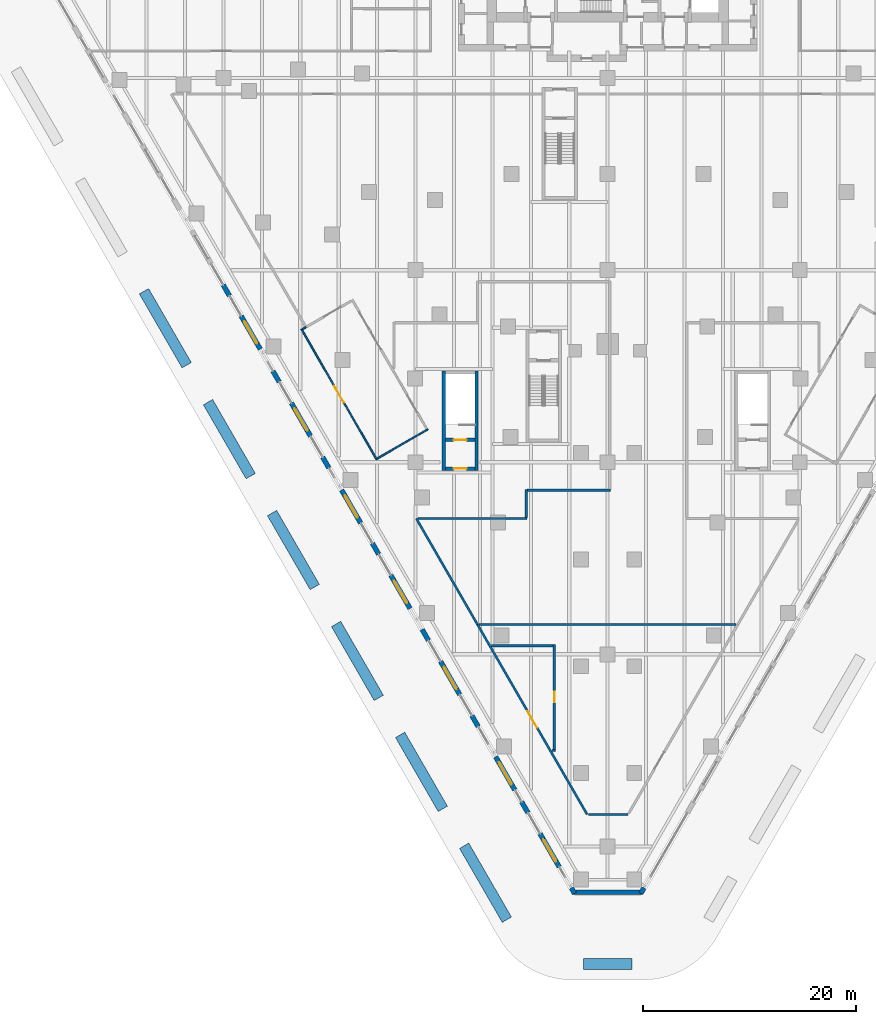
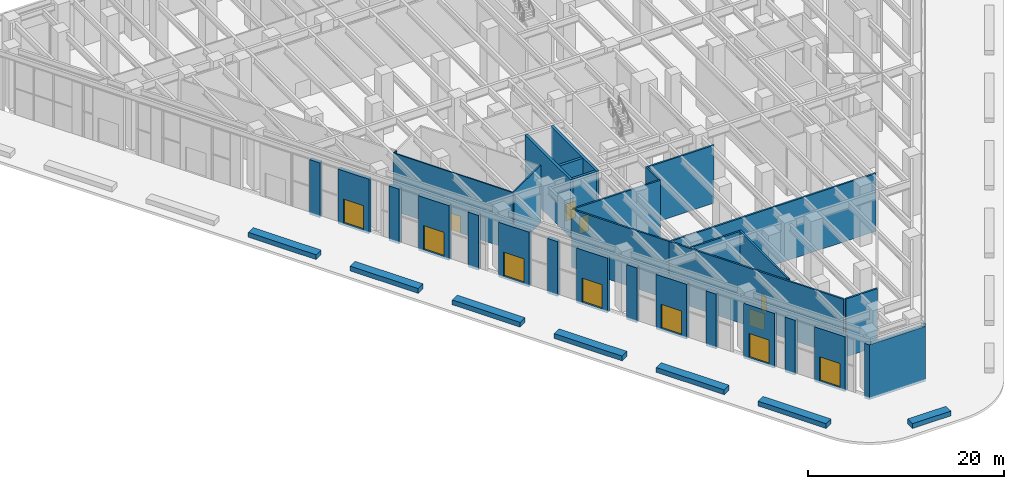
# One storey, part 25 of 37: 41 walls, 12 doors, 12 openings.
"""IFC4 building model written with IfcOpenShell, lengths in metres."""

from ifc_helpers import new_model, si_unit, direction, frame, frame_2d, origin, place, context, subcontext, project, spatial, polyline, rectangle, outline, extrude, material, layer, layer_set, type_object, element, fill, save


model = new_model("IFC4")

# Units and contexts
model_context = context("Model", 3, precision=1e-05, world=origin(), true_north=direction((0.0, 1.0)))
body_context = subcontext(model_context, "Body", "Model", "MODEL_VIEW")
ifc_project = project(units=[si_unit("LENGTHUNIT", "METRE"), si_unit("AREAUNIT", "SQUARE_METRE"), si_unit("VOLUMEUNIT", "CUBIC_METRE"), si_unit("PLANEANGLEUNIT", "RADIAN"), si_unit("MASSUNIT", "GRAM", prefix="KILO")], contexts=[model_context])

# Site, building, storey
site_placement = place(None, origin())
site = spatial("IfcSite", under=ifc_project, at=site_placement, CompositionType="ELEMENT")
building_placement = place(site_placement, origin())
building = spatial("IfcBuilding", under=site, at=building_placement, Name="Aloe Facet Convention Tower", CompositionType="ELEMENT")
storey_placement = place(building_placement, origin())
storey = spatial("IfcBuildingStorey", under=building, at=storey_placement, Name="L00", CompositionType="ELEMENT", Elevation=0.0)

# Walls
ifc_material_1 = material(Name="Concrete C50/60", Category="concrete")
ifc_layer_1 = layer(ifc_material_1, 0.300048828125)
ifc_layer_set_1 = layer_set([ifc_layer_1], Name="CR-W-RC300-C5060")
wall_type_1 = type_object("IfcWallType", Name="CR-W-RC300-C5060", PredefinedType="SOLIDWALL", material=ifc_layer_set_1)
for number, where, z_axis, x_axis, name in (
    (1, (64.64990234375, 80.25, 0.0), (0.0, 0.0, 1.0), (0.0, 1.0, 0.0), "Exit stair wall L00-16"),
    (2, (67.699951171875, 80.25, 0.0), (0.0, 0.0, 1.0), (0.0, 1.0, 0.0), "Exit stair wall L00-17"),
):
    element("IfcWall", number, at=place(storey_placement, frame(where, z_axis=z_axis, x_axis=x_axis)), inside=storey, type_object=wall_type_1, Name=name, PredefinedType="SOLIDWALL", context=body_context, shape_type="SweptSolid", body=[
        extrude(rectangle(XDim=9.300048828125, YDim=0.300048828125, at=frame_2d((4.64990234375, 0.0))), origin(), (0.0, 0.0, 1.0), 7.199951171875),
    ])

# Wall, opening, door
wall_1_placement = place(storey_placement, frame((64.800048828125, 80.39990234375, 0.0), z_axis=(0.0, 0.0, 1.0), x_axis=(1.0, 0.0, 0.0)))
wall_1 = element("IfcWall", 3, at=wall_1_placement, inside=storey, type_object=wall_type_1, Name="Exit stair wall L00-18", PredefinedType="SOLIDWALL", context=body_context, shape_type="SweptSolid", body=[
    extrude(rectangle(XDim=2.75, YDim=0.300048828125, at=frame_2d((1.375, 0.0))), origin(), (0.0, 0.0, 1.0), 7.199951171875),
])
opening_1_placement = place(wall_1_placement, frame((0.77490234375, 0.0, 0.0)))
opening_1 = element("IfcOpeningElement", 4, at=opening_1_placement, cuts=wall_1, Name="Opening L00-ST7-02", PredefinedType="OPENING", context=body_context, shape_type="SweptSolid", body=[
    extrude(rectangle(XDim=1.199951171875, YDim=2.10009765625, at=frame_2d((0.60009765625, 1.050048828125))), frame((0.0, 0.16015625, 0.0), z_axis=(0.0, -1.0, 0.0), x_axis=(1.0, 0.0, 0.0)), (0.0, 0.0, 1.0), 0.320068359375),
])
ifc_material_2 = material(Name="Steel fire-resisting door set FD60", Category="steel")
door_type_1 = type_object("IfcDoorType", Name="CR-D-EXIT-1200-FD60-SRIGHT", OperationType="SINGLE_SWING_RIGHT", PredefinedType="DOOR", material=ifc_material_2)
door_1_placement = place(opening_1_placement, origin())
door_1 = element("IfcDoor", 5, at=door_1_placement, inside=storey, type_object=door_type_1, Name="Stair lobby door L00-ST7-02", OperationType="SINGLE_SWING_RIGHT", OverallHeight=2.10009765625, OverallWidth=1.199951171875, PredefinedType="DOOR", context=body_context, shape_type="SweptSolid", body=[
    extrude(rectangle(XDim=1.199951171875, YDim=2.10009765625, at=frame_2d((0.60009765625, 1.050048828125))), frame((0.0, 0.02490234375, 0.0), z_axis=(0.0, -1.0, 0.0), x_axis=(1.0, 0.0, 0.0)), (0.0, 0.0, 1.0), 0.050048828125),
])
fill(opening_1, door_1)

wall_2_placement = place(storey_placement, frame((64.800048828125, 83.10009765625, 0.0), z_axis=(0.0, 0.0, 1.0), x_axis=(1.0, 0.0, 0.0)))
wall_2 = element("IfcWall", 6, at=wall_2_placement, inside=storey, type_object=wall_type_1, Name="Exit stair wall L00-19", PredefinedType="SOLIDWALL", context=body_context, shape_type="SweptSolid", body=[
    extrude(rectangle(XDim=2.75, YDim=0.300048828125, at=frame_2d((1.375, 0.0))), origin(), (0.0, 0.0, 1.0), 7.199951171875),
])
opening_2_placement = place(wall_2_placement, frame((0.77490234375, 0.0, 0.0)))
opening_2 = element("IfcOpeningElement", 7, at=opening_2_placement, cuts=wall_2, Name="Opening L00-ST7-01", PredefinedType="OPENING", context=body_context, shape_type="SweptSolid", body=[
    extrude(rectangle(XDim=1.199951171875, YDim=2.10009765625, at=frame_2d((0.60009765625, 1.050048828125))), frame((0.0, 0.16015625, 0.0), z_axis=(0.0, -1.0, 0.0), x_axis=(1.0, 0.0, 0.0)), (0.0, 0.0, 1.0), 0.320068359375),
])
ifc_material_3 = material(Name="Steel fire-resisting door set FD120", Category="steel")
door_type_2 = type_object("IfcDoorType", Name="CR-D-STAIR-1200-FD120-SLEFT", OperationType="SINGLE_SWING_LEFT", PredefinedType="DOOR", material=ifc_material_3)
door_2_placement = place(opening_2_placement, origin())
door_2 = element("IfcDoor", 8, at=door_2_placement, inside=storey, type_object=door_type_2, Name="Stair door L00-ST7-01", OperationType="SINGLE_SWING_LEFT", OverallHeight=2.10009765625, OverallWidth=1.199951171875, PredefinedType="DOOR", context=body_context, shape_type="SweptSolid", body=[
    extrude(rectangle(XDim=1.199951171875, YDim=2.10009765625, at=frame_2d((0.60009765625, 1.050048828125))), frame((0.0, 0.02490234375, 0.0), z_axis=(0.0, -1.0, 0.0), x_axis=(1.0, 0.0, 0.0)), (0.0, 0.0, 1.0), 0.050048828125),
])
fill(opening_2, door_2)

# Walls
ifc_material_4 = material(Name="Precast concrete C40/50", Category="concrete")
ifc_layer_2 = layer(ifc_material_4, 1.0)
ifc_layer_set_2 = layer_set([ifc_layer_2], Name="EV-PLANTER-BED")
wall_type_2 = type_object("IfcWallType", Name="EV-PLANTER-BED", PredefinedType="STANDARD", material=ifc_layer_set_2)
wall_3_placement = place(storey_placement, frame((82.264404296875, 33.986328125, 0.0), z_axis=(0.0, 0.0, 1.0), x_axis=(-1.0, 0.0, 0.0)))
element("IfcWall", 9, at=wall_3_placement, inside=storey, type_object=wall_type_2, Name="PLANTER G-10", PredefinedType="STANDARD", context=body_context, shape_type="SweptSolid", body=[
    extrude(rectangle(XDim=4.52880859375, YDim=1.0, at=frame_2d((2.264404296875, 0.0))), origin(), (0.0, 0.0, 1.0), 0.60009765625),
])
for number, where, z_axis, x_axis, name in (
    (10, (70.552978515625, 38.13330078125, 0.0), (0.0, 0.0, 1.0), (-0.49999894854, 0.866026010844, 0.0), "PLANTER G-11"),
    (11, (64.552978515625, 48.525634765625, 0.0), (0.0, 0.0, 1.0), (-0.49999894854, 0.866026010844, 0.0), "PLANTER G-12"),
):
    element("IfcWall", number, at=place(storey_placement, frame(where, z_axis=z_axis, x_axis=x_axis)), inside=storey, type_object=wall_type_2, Name=name, PredefinedType="STANDARD", context=body_context, shape_type="SweptSolid", body=[
        extrude(rectangle(XDim=8.0, YDim=1.0, at=frame_2d((4.0, 0.0))), origin(), (0.0, 0.0, 1.0), 0.60009765625),
    ])
wall_4_placement = place(storey_placement, frame((58.552978515625, 58.91796875, 0.0), z_axis=(0.0, 0.0, 1.0), x_axis=(-0.500012163284, 0.866018381195, 0.0)))
element("IfcWall", 12, at=wall_4_placement, inside=storey, type_object=wall_type_2, Name="PLANTER G-13", PredefinedType="STANDARD", context=body_context, shape_type="SweptSolid", body=[
    extrude(rectangle(XDim=7.999755859375, YDim=1.0, at=frame_2d((4.0, 0.0))), origin(), (0.0, 0.0, 1.0), 0.60009765625),
])
for number, where, z_axis, x_axis, name in (
    (13, (52.552978515625, 69.31005859375, 0.0), (0.0, 0.0, 1.0), (-0.49999894854, 0.866026010844, 0.0), "PLANTER G-14"),
    (14, (46.552978515625, 79.702392578125, 0.0), (0.0, 0.0, 1.0), (-0.49999894854, 0.866026010844, 0.0), "PLANTER G-15"),
    (15, (40.552978515625, 90.0947265625, 0.0), (0.0, 0.0, 1.0), (-0.49999894854, 0.866026010844, 0.0), "PLANTER G-16"),
):
    element("IfcWall", number, at=place(storey_placement, frame(where, z_axis=z_axis, x_axis=x_axis)), inside=storey, type_object=wall_type_2, Name=name, PredefinedType="STANDARD", context=body_context, shape_type="SweptSolid", body=[
        extrude(rectangle(XDim=8.0, YDim=1.0, at=frame_2d((4.0, 0.0))), origin(), (0.0, 0.0, 1.0), 0.60009765625),
    ])
ifc_material_5 = material(Name="Precast concrete C40/50", Category="concrete")
ifc_layer_3 = layer(ifc_material_5, 0.449951171875)
ifc_layer_set_3 = layer_set([ifc_layer_3], Name="EV-WALL-PIER")
wall_type_3 = type_object("IfcWallType", Name="EV-WALL-PIER", PredefinedType="SOLIDWALL", material=ifc_layer_set_3)
wall_5_placement = place(storey_placement, frame((0.0, 0.0, -0.300048828125)))
element("IfcWall", 16, at=wall_5_placement, inside=storey, type_object=wall_type_3, Name="EP-L00-B", PredefinedType="SOLIDWALL", context=body_context, shape_type="SweptSolid", body=[
    extrude(outline(polyline([(76.699951171875, 40.486328125), (77.089599609375, 40.711181640625), (76.959716796875, 40.936279296875), (83.040283203125, 40.936279296875), (82.910400390625, 40.711181640625), (83.300048828125, 40.486328125), (76.699951171875, 40.486328125)])), origin(), (0.0, 0.0, 1.0), 6.8125),
])
ifc_material_6 = material(Name="Precast concrete C40/50", Category="concrete")
ifc_layer_4 = layer(ifc_material_6, 0.449951171875)
ifc_layer_set_4 = layer_set([ifc_layer_4], Name="EV-WALL-STONE")
wall_type_4 = type_object("IfcWallType", Name="EV-WALL-STONE", PredefinedType="SOLIDWALL", material=ifc_layer_set_4)
wall_6_placement = place(storey_placement, frame((43.969970703125, 97.626220703125, -0.300048828125), z_axis=(0.0, 0.0, 1.0), x_axis=(0.500033551112, -0.866006032174, 0.0)))
element("IfcWall", 17, at=wall_6_placement, inside=storey, type_object=wall_type_4, Name="PW-L00-W09", PredefinedType="SOLIDWALL", context=body_context, shape_type="SweptSolid", body=[
    extrude(rectangle(XDim=1.2001953125, YDim=0.449951171875, at=frame_2d((0.60009765625, 0.0))), origin(), (0.0, 0.0, 1.0), 6.8125),
])

# Wall, opening, door
wall_7_placement = place(storey_placement, frame((45.650390625, 94.7158203125, -0.300048828125), z_axis=(0.0, 0.0, 1.0), x_axis=(0.500012057535, -0.866018442252, 0.0)))
wall_7 = element("IfcWall", 18, at=wall_7_placement, inside=storey, type_object=wall_type_4, Name="PW-L00-W10", PredefinedType="SOLIDWALL", context=body_context, shape_type="SweptSolid", body=[
    extrude(rectangle(XDim=3.60009765625, YDim=0.449951171875, at=frame_2d((1.800048828125, 0.0))), origin(), (0.0, 0.0, 1.0), 6.8125),
])
opening_3_placement = place(wall_7_placement, frame((0.60009765625, 0.0, 0.300048828125)))
opening_3 = element("IfcOpeningElement", 19, at=opening_3_placement, cuts=wall_7, Name="Opening D-L00-W10", PredefinedType="OPENING", context=body_context, shape_type="SweptSolid", body=[
    extrude(rectangle(XDim=2.39990234375, YDim=3.0, at=frame_2d((1.199951171875, 1.5))), frame((0.0, 0.23486328125, 0.0), z_axis=(0.0, -1.0, 0.0), x_axis=(1.0, 0.0, 0.0)), (0.0, 0.0, 1.0), 0.469970703125),
])
ifc_material_7 = material(Name="Aluminium frame, clear double glazing", Category="aluminium")
door_type_3 = type_object("IfcDoorType", Name="EV-DOOR-ENTRY", OperationType="DOUBLE_DOOR_SINGLE_SWING", PredefinedType="DOOR", material=ifc_material_7)
door_3_placement = place(opening_3_placement, origin())
door_3 = element("IfcDoor", 20, at=door_3_placement, inside=storey, type_object=door_type_3, Name="D-L00-W10", OperationType="DOUBLE_DOOR_SINGLE_SWING", OverallHeight=3.0, OverallWidth=2.39990234375, PredefinedType="DOOR", context=body_context, shape_type="SweptSolid", body=[
    extrude(rectangle(XDim=2.39990234375, YDim=3.0, at=frame_2d((1.199951171875, 1.5))), frame((0.0, 0.02490234375, 0.0), z_axis=(0.0, -1.0, 0.0), x_axis=(1.0, 0.0, 0.0)), (0.0, 0.0, 1.0), 0.050048828125),
])
fill(opening_3, door_3)

# Wall
wall_8_placement = place(storey_placement, frame((48.630859375, 89.5537109375, -0.300048828125), z_axis=(0.0, 0.0, 1.0), x_axis=(0.499880961361, -0.866094119867, 0.0)))
element("IfcWall", 21, at=wall_8_placement, inside=storey, type_object=wall_type_4, Name="PW-L00-W11", PredefinedType="SOLIDWALL", context=body_context, shape_type="SweptSolid", body=[
    extrude(rectangle(XDim=1.199951171875, YDim=0.449951171875, at=frame_2d((0.60009765625, 0.0))), origin(), (0.0, 0.0, 1.0), 6.8125),
])

# Wall, opening, door
wall_9_placement = place(storey_placement, frame((50.361083984375, 86.556640625, -0.300048828125), z_axis=(0.0, 0.0, 1.0), x_axis=(0.500012057535, -0.866018442252, 0.0)))
wall_9 = element("IfcWall", 22, at=wall_9_placement, inside=storey, type_object=wall_type_4, Name="PW-L00-W12", PredefinedType="SOLIDWALL", context=body_context, shape_type="SweptSolid", body=[
    extrude(rectangle(XDim=3.60009765625, YDim=0.449951171875, at=frame_2d((1.800048828125, 0.0))), origin(), (0.0, 0.0, 1.0), 6.8125),
])
opening_4_placement = place(wall_9_placement, frame((0.60009765625, 0.0, 0.300048828125)))
opening_4 = element("IfcOpeningElement", 23, at=opening_4_placement, cuts=wall_9, Name="Opening D-L00-W12", PredefinedType="OPENING", context=body_context, shape_type="SweptSolid", body=[
    extrude(rectangle(XDim=2.39990234375, YDim=3.0, at=frame_2d((1.199951171875, 1.5))), frame((0.0, 0.23486328125, 0.0), z_axis=(0.0, -1.0, 0.0), x_axis=(1.0, 0.0, 0.0)), (0.0, 0.0, 1.0), 0.469970703125),
])
door_4_placement = place(opening_4_placement, origin())
door_4 = element("IfcDoor", 24, at=door_4_placement, inside=storey, type_object=door_type_3, Name="D-L00-W12", OperationType="DOUBLE_DOOR_SINGLE_SWING", OverallHeight=3.0, OverallWidth=2.39990234375, PredefinedType="DOOR", context=body_context, shape_type="SweptSolid", body=[
    extrude(rectangle(XDim=2.39990234375, YDim=3.0, at=frame_2d((1.199951171875, 1.5))), frame((0.0, 0.02490234375, 0.0), z_axis=(0.0, -1.0, 0.0), x_axis=(1.0, 0.0, 0.0)), (0.0, 0.0, 1.0), 0.050048828125),
])
fill(opening_4, door_4)

# Wall
wall_10_placement = place(storey_placement, frame((53.29150390625, 81.481201171875, -0.300048828125), z_axis=(0.0, 0.0, 1.0), x_axis=(0.499880961361, -0.866094119867, 0.0)))
element("IfcWall", 25, at=wall_10_placement, inside=storey, type_object=wall_type_4, Name="PW-L00-W13", PredefinedType="SOLIDWALL", context=body_context, shape_type="SweptSolid", body=[
    extrude(rectangle(XDim=1.199951171875, YDim=0.449951171875, at=frame_2d((0.60009765625, 0.0))), origin(), (0.0, 0.0, 1.0), 6.8125),
])

# Wall, opening, door
wall_11_placement = place(storey_placement, frame((55.07177734375, 78.3974609375, -0.300048828125), z_axis=(0.0, 0.0, 1.0), x_axis=(0.500012057535, -0.866018442252, 0.0)))
wall_11 = element("IfcWall", 26, at=wall_11_placement, inside=storey, type_object=wall_type_4, Name="PW-L00-W14", PredefinedType="SOLIDWALL", context=body_context, shape_type="SweptSolid", body=[
    extrude(rectangle(XDim=3.60009765625, YDim=0.449951171875, at=frame_2d((1.800048828125, 0.0))), origin(), (0.0, 0.0, 1.0), 6.8125),
])
opening_5_placement = place(wall_11_placement, frame((0.60009765625, 0.0, 0.300048828125)))
opening_5 = element("IfcOpeningElement", 27, at=opening_5_placement, cuts=wall_11, Name="Opening D-L00-W14", PredefinedType="OPENING", context=body_context, shape_type="SweptSolid", body=[
    extrude(rectangle(XDim=2.39990234375, YDim=3.0, at=frame_2d((1.199951171875, 1.5))), frame((0.0, 0.23486328125, 0.0), z_axis=(0.0, -1.0, 0.0), x_axis=(1.0, 0.0, 0.0)), (0.0, 0.0, 1.0), 0.469970703125),
])
door_5_placement = place(opening_5_placement, origin())
door_5 = element("IfcDoor", 28, at=door_5_placement, inside=storey, type_object=door_type_3, Name="D-L00-W14", OperationType="DOUBLE_DOOR_SINGLE_SWING", OverallHeight=3.0, OverallWidth=2.39990234375, PredefinedType="DOOR", context=body_context, shape_type="SweptSolid", body=[
    extrude(rectangle(XDim=2.39990234375, YDim=3.0, at=frame_2d((1.199951171875, 1.5))), frame((0.0, 0.02490234375, 0.0), z_axis=(0.0, -1.0, 0.0), x_axis=(1.0, 0.0, 0.0)), (0.0, 0.0, 1.0), 0.050048828125),
])
fill(opening_5, door_5)

# Wall
wall_12_placement = place(storey_placement, frame((57.9521484375, 73.408447265625, -0.300048828125), z_axis=(0.0, 0.0, 1.0), x_axis=(0.499969057507, -0.866043267704, 0.0)))
element("IfcWall", 29, at=wall_12_placement, inside=storey, type_object=wall_type_4, Name="PW-L00-W15", PredefinedType="SOLIDWALL", context=body_context, shape_type="SweptSolid", body=[
    extrude(rectangle(XDim=1.19970703125, YDim=0.449951171875, at=frame_2d((0.599853515625, 0.0))), origin(), (0.0, 0.0, 1.0), 6.8125),
])

# Wall, opening, door
wall_13_placement = place(storey_placement, frame((59.682373046875, 70.41162109375, -0.300048828125), z_axis=(0.0, 0.0, 1.0), x_axis=(0.500012057535, -0.866018442252, 0.0)))
wall_13 = element("IfcWall", 30, at=wall_13_placement, inside=storey, type_object=wall_type_4, Name="PW-L00-W16", PredefinedType="SOLIDWALL", context=body_context, shape_type="SweptSolid", body=[
    extrude(rectangle(XDim=3.60009765625, YDim=0.449951171875, at=frame_2d((1.800048828125, 0.0))), origin(), (0.0, 0.0, 1.0), 6.8125),
])
opening_6_placement = place(wall_13_placement, frame((0.60009765625, 0.0, 0.300048828125)))
opening_6 = element("IfcOpeningElement", 31, at=opening_6_placement, cuts=wall_13, Name="Opening D-L00-W16", PredefinedType="OPENING", context=body_context, shape_type="SweptSolid", body=[
    extrude(rectangle(XDim=2.39990234375, YDim=3.0, at=frame_2d((1.199951171875, 1.5))), frame((0.0, 0.23486328125, 0.0), z_axis=(0.0, -1.0, 0.0), x_axis=(1.0, 0.0, 0.0)), (0.0, 0.0, 1.0), 0.469970703125),
])
door_6_placement = place(opening_6_placement, origin())
door_6 = element("IfcDoor", 32, at=door_6_placement, inside=storey, type_object=door_type_3, Name="D-L00-W16", OperationType="DOUBLE_DOOR_SINGLE_SWING", OverallHeight=3.0, OverallWidth=2.39990234375, PredefinedType="DOOR", context=body_context, shape_type="SweptSolid", body=[
    extrude(rectangle(XDim=2.39990234375, YDim=3.0, at=frame_2d((1.199951171875, 1.5))), frame((0.0, 0.02490234375, 0.0), z_axis=(0.0, -1.0, 0.0), x_axis=(1.0, 0.0, 0.0)), (0.0, 0.0, 1.0), 0.050048828125),
])
fill(opening_6, door_6)

# Wall
wall_14_placement = place(storey_placement, frame((62.61279296875, 65.3359375, -0.300048828125), z_axis=(0.0, 0.0, 1.0), x_axis=(0.50012165622, -0.865955154139, 0.0)))
element("IfcWall", 33, at=wall_14_placement, inside=storey, type_object=wall_type_4, Name="PW-L00-W17", PredefinedType="SOLIDWALL", context=body_context, shape_type="SweptSolid", body=[
    extrude(rectangle(XDim=1.199951171875, YDim=0.449951171875, at=frame_2d((0.60009765625, 0.0))), origin(), (0.0, 0.0, 1.0), 6.8125),
])

# Wall, opening, door
wall_15_placement = place(storey_placement, frame((64.34326171875, 62.339111328125, -0.300048828125), z_axis=(0.0, 0.0, 1.0), x_axis=(0.499931829785, -0.866064758299, 0.0)))
wall_15 = element("IfcWall", 34, at=wall_15_placement, inside=storey, type_object=wall_type_4, Name="PW-L00-W18", PredefinedType="SOLIDWALL", context=body_context, shape_type="SweptSolid", body=[
    extrude(rectangle(XDim=3.60009765625, YDim=0.449951171875, at=frame_2d((1.800048828125, 0.0))), origin(), (0.0, 0.0, 1.0), 6.8125),
])
opening_7_placement = place(wall_15_placement, frame((0.60009765625, 0.0, 0.300048828125)))
opening_7 = element("IfcOpeningElement", 35, at=opening_7_placement, cuts=wall_15, Name="Opening D-L00-W18", PredefinedType="OPENING", context=body_context, shape_type="SweptSolid", body=[
    extrude(rectangle(XDim=2.39990234375, YDim=3.0, at=frame_2d((1.199951171875, 1.5))), frame((0.0, 0.23486328125, 0.0), z_axis=(0.0, -1.0, 0.0), x_axis=(1.0, 0.0, 0.0)), (0.0, 0.0, 1.0), 0.469970703125),
])
door_7_placement = place(opening_7_placement, origin())
door_7 = element("IfcDoor", 36, at=door_7_placement, inside=storey, type_object=door_type_3, Name="D-L00-W18", OperationType="DOUBLE_DOOR_SINGLE_SWING", OverallHeight=3.0, OverallWidth=2.39990234375, PredefinedType="DOOR", context=body_context, shape_type="SweptSolid", body=[
    extrude(rectangle(XDim=2.39990234375, YDim=3.0, at=frame_2d((1.199951171875, 1.5))), frame((0.0, 0.02490234375, 0.0), z_axis=(0.0, -1.0, 0.0), x_axis=(1.0, 0.0, 0.0)), (0.0, 0.0, 1.0), 0.050048828125),
])
fill(opening_7, door_7)

# Wall
wall_16_placement = place(storey_placement, frame((67.2734375, 57.263427734375, -0.300048828125), z_axis=(0.0, 0.0, 1.0), x_axis=(0.50012165622, -0.865955154139, 0.0)))
element("IfcWall", 37, at=wall_16_placement, inside=storey, type_object=wall_type_4, Name="PW-L00-W19", PredefinedType="SOLIDWALL", context=body_context, shape_type="SweptSolid", body=[
    extrude(rectangle(XDim=1.199951171875, YDim=0.449951171875, at=frame_2d((0.60009765625, 0.0))), origin(), (0.0, 0.0, 1.0), 6.8125),
])

# Wall, opening, door
wall_17_placement = place(storey_placement, frame((69.50390625, 53.400390625, -0.300048828125), z_axis=(0.0, 0.0, 1.0), x_axis=(0.499961193289, -0.866047807691, 0.0)))
wall_17 = element("IfcWall", 38, at=wall_17_placement, inside=storey, type_object=wall_type_4, Name="PW-L00-W20", PredefinedType="SOLIDWALL", context=body_context, shape_type="SweptSolid", body=[
    extrude(rectangle(XDim=3.599853515625, YDim=0.449951171875, at=frame_2d((1.7998046875, 0.0))), origin(), (0.0, 0.0, 1.0), 6.8125),
])
opening_8_placement = place(wall_17_placement, frame((0.60009765625, 0.0, 0.300048828125)))
opening_8 = element("IfcOpeningElement", 39, at=opening_8_placement, cuts=wall_17, Name="Opening D-L00-W20", PredefinedType="OPENING", context=body_context, shape_type="SweptSolid", body=[
    extrude(rectangle(XDim=2.39990234375, YDim=3.0, at=frame_2d((1.199951171875, 1.5))), frame((0.0, 0.23486328125, 0.0), z_axis=(0.0, -1.0, 0.0), x_axis=(1.0, 0.0, 0.0)), (0.0, 0.0, 1.0), 0.469970703125),
])
door_8_placement = place(opening_8_placement, origin())
door_8 = element("IfcDoor", 40, at=door_8_placement, inside=storey, type_object=door_type_3, Name="D-L00-W20", OperationType="DOUBLE_DOOR_SINGLE_SWING", OverallHeight=3.0, OverallWidth=2.39990234375, PredefinedType="DOOR", context=body_context, shape_type="SweptSolid", body=[
    extrude(rectangle(XDim=2.39990234375, YDim=3.0, at=frame_2d((1.199951171875, 1.5))), frame((0.0, 0.02490234375, 0.0), z_axis=(0.0, -1.0, 0.0), x_axis=(1.0, 0.0, 0.0)), (0.0, 0.0, 1.0), 0.050048828125),
])
fill(opening_8, door_8)

# Wall
wall_18_placement = place(storey_placement, frame((71.93408203125, 49.19091796875, -0.300048828125), z_axis=(0.0, 0.0, 1.0), x_axis=(0.500033551112, -0.866006032174, 0.0)))
element("IfcWall", 41, at=wall_18_placement, inside=storey, type_object=wall_type_4, Name="PW-L00-W21", PredefinedType="SOLIDWALL", context=body_context, shape_type="SweptSolid", body=[
    extrude(rectangle(XDim=1.2001953125, YDim=0.449951171875, at=frame_2d((0.60009765625, 0.0))), origin(), (0.0, 0.0, 1.0), 6.8125),
])

# Wall, opening, door
wall_19_placement = place(storey_placement, frame((73.66455078125, 46.19384765625, -0.300048828125), z_axis=(0.0, 0.0, 1.0), x_axis=(0.500012057535, -0.866018442252, 0.0)))
wall_19 = element("IfcWall", 42, at=wall_19_placement, inside=storey, type_object=wall_type_4, Name="PW-L00-W22", PredefinedType="SOLIDWALL", context=body_context, shape_type="SweptSolid", body=[
    extrude(rectangle(XDim=3.60009765625, YDim=0.449951171875, at=frame_2d((1.800048828125, 0.0))), origin(), (0.0, 0.0, 1.0), 6.8125),
])
opening_9_placement = place(wall_19_placement, frame((0.60009765625, 0.0, 0.300048828125)))
opening_9 = element("IfcOpeningElement", 43, at=opening_9_placement, cuts=wall_19, Name="Opening D-L00-W22", PredefinedType="OPENING", context=body_context, shape_type="SweptSolid", body=[
    extrude(rectangle(XDim=2.39990234375, YDim=3.0, at=frame_2d((1.199951171875, 1.5))), frame((0.0, 0.23486328125, 0.0), z_axis=(0.0, -1.0, 0.0), x_axis=(1.0, 0.0, 0.0)), (0.0, 0.0, 1.0), 0.469970703125),
])
door_9_placement = place(opening_9_placement, origin())
door_9 = element("IfcDoor", 44, at=door_9_placement, inside=storey, type_object=door_type_3, Name="D-L00-W22", OperationType="DOUBLE_DOOR_SINGLE_SWING", OverallHeight=3.0, OverallWidth=2.39990234375, PredefinedType="DOOR", context=body_context, shape_type="SweptSolid", body=[
    extrude(rectangle(XDim=2.39990234375, YDim=3.0, at=frame_2d((1.199951171875, 1.5))), frame((0.0, 0.02490234375, 0.0), z_axis=(0.0, -1.0, 0.0), x_axis=(1.0, 0.0, 0.0)), (0.0, 0.0, 1.0), 0.050048828125),
])
fill(opening_9, door_9)

# Walls
for number, where, z_axis, x_axis, name in (
    (45, (76.594970703125, 41.118408203125, -0.300048828125), (0.0, 0.0, 1.0), (0.499816412211, -0.866131372301, 0.0), "PW-L00-W23"),
    (46, (83.105224609375, 40.598876953125, -0.300048828125), (0.0, 0.0, 1.0), (0.499816412211, 0.866131372301, 0.0), "PW-L00-E01"),
):
    element("IfcWall", number, at=place(storey_placement, frame(where, z_axis=z_axis, x_axis=x_axis)), inside=storey, type_object=wall_type_4, Name=name, PredefinedType="SOLIDWALL", context=body_context, shape_type="SweptSolid", body=[
        extrude(rectangle(XDim=0.599853515625, YDim=0.449951171875, at=frame_2d((0.2998046875, 0.0))), origin(), (0.0, 0.0, 1.0), 6.8125),
    ])

# Wall, opening, door
ifc_material_8 = material(Name="Masonry blockwork wall, plastered", Category="masonry")
ifc_layer_5 = layer(ifc_material_8, 0.199951171875)
ifc_layer_set_5 = layer_set([ifc_layer_5], Name="IN-POD-W-ASSY")
wall_type_5 = type_object("IfcWallType", Name="IN-POD-W-ASSY", PredefinedType="PARTITIONING", material=ifc_layer_set_5)
wall_20_placement = place(storey_placement, frame((67.80078125, 65.800048828125, 0.0), z_axis=(0.0, 0.0, 1.0), x_axis=(0.499999725825, -0.866025562079, 0.0)))
wall_20 = element("IfcWall", 47, at=wall_20_placement, inside=storey, type_object=wall_type_5, Name="Partition L00-W001", PredefinedType="PARTITIONING", context=body_context, shape_type="SweptSolid", body=[
    extrude(rectangle(XDim=20.5537109375, YDim=0.199951171875, at=frame_2d((10.27685546875, 0.0))), origin(), (0.0, 0.0, 1.0), 7.199951171875),
])
opening_10_placement = place(wall_20_placement, frame((9.376953125, 0.0, 0.0)))
opening_10 = element("IfcOpeningElement", 48, at=opening_10_placement, cuts=wall_20, Name="Opening L00-018", PredefinedType="OPENING", context=body_context, shape_type="SweptSolid", body=[
    extrude(rectangle(XDim=1.800048828125, YDim=2.10009765625, at=frame_2d((0.89990234375, 1.050048828125))), frame((0.0, 0.10986328125, 0.0), z_axis=(0.0, -1.0, 0.0), x_axis=(1.0, 0.0, 0.0)), (0.0, 0.0, 1.0), 0.219970703125),
])
ifc_material_9 = material(Name="Hardwood flush door pair", Category="wood")
door_type_4 = type_object("IfcDoorType", Name="IN-POD-D-PAIR", OperationType="DOUBLE_DOOR_SINGLE_SWING", PredefinedType="DOOR", material=ifc_material_9)
door_10_placement = place(opening_10_placement, origin())
door_10 = element("IfcDoor", 49, at=door_10_placement, inside=storey, type_object=door_type_4, Name="Door L00-018", OperationType="SINGLE_SWING_LEFT", OverallHeight=2.10009765625, OverallWidth=1.800048828125, PredefinedType="DOOR", context=body_context, shape_type="SweptSolid", body=[
    extrude(rectangle(XDim=1.800048828125, YDim=2.10009765625, at=frame_2d((0.89990234375, 1.050048828125))), frame((0.0, 0.02490234375, 0.0), z_axis=(0.0, -1.0, 0.0), x_axis=(1.0, 0.0, 0.0)), (0.0, 0.0, 1.0), 0.050048828125),
])
fill(opening_10, door_10)

# Walls
wall_21_placement = place(storey_placement, frame((78.20751953125, 48.0, 0.0), z_axis=(0.0, 0.0, 1.0), x_axis=(1.0, 0.0, 0.0)))
element("IfcWall", 50, at=wall_21_placement, inside=storey, type_object=wall_type_5, Name="Partition L00-W002", PredefinedType="PARTITIONING", context=body_context, shape_type="SweptSolid", body=[
    extrude(rectangle(XDim=3.71484375, YDim=0.199951171875, at=frame_2d((1.857421875, 0.0))), origin(), (0.0, 0.0, 1.0), 7.199951171875),
])
wall_22_placement = place(storey_placement, frame((74.7685546875, 54.0, 0.0), z_axis=(0.0, 0.0, 1.0), x_axis=(1.0, 0.0, 0.0)))
element("IfcWall", 51, at=wall_22_placement, inside=storey, type_object=wall_type_5, Name="Partition L00-W004", PredefinedType="PARTITIONING", context=body_context, shape_type="SweptSolid", body=[
    extrude(rectangle(XDim=0.33154296875, YDim=0.199951171875, at=frame_2d((0.165771484375, 0.0))), origin(), (0.0, 0.0, 1.0), 7.199951171875),
])

# Wall, opening, door
wall_23_placement = place(storey_placement, frame((75.0, 54.10009765625, 0.0), z_axis=(0.0, 0.0, 1.0), x_axis=(0.0, 1.0, 0.0)))
wall_23 = element("IfcWall", 52, at=wall_23_placement, inside=storey, type_object=wall_type_5, Name="Partition L00-W006", PredefinedType="PARTITIONING", context=body_context, shape_type="SweptSolid", body=[
    extrude(rectangle(XDim=9.7998046875, YDim=0.199951171875, at=frame_2d((4.89990234375, 0.0))), origin(), (0.0, 0.0, 1.0), 7.199951171875),
])
opening_11_placement = place(wall_23_placement, frame((4.39990234375, 0.0, 0.0)))
opening_11 = element("IfcOpeningElement", 53, at=opening_11_placement, cuts=wall_23, Name="Opening L00-028", PredefinedType="OPENING", context=body_context, shape_type="SweptSolid", body=[
    extrude(rectangle(XDim=1.0, YDim=2.10009765625, at=frame_2d((0.5, 1.050048828125))), frame((0.0, 0.10986328125, 0.0), z_axis=(0.0, -1.0, 0.0), x_axis=(1.0, 0.0, 0.0)), (0.0, 0.0, 1.0), 0.219970703125),
])
ifc_material_10 = material(Name="Hardwood flush door", Category="wood")
door_type_5 = type_object("IfcDoorType", Name="IN-POD-D-WIDE", OperationType="SINGLE_SWING_LEFT", PredefinedType="DOOR", material=ifc_material_10)
door_11_placement = place(opening_11_placement, origin())
door_11 = element("IfcDoor", 54, at=door_11_placement, inside=storey, type_object=door_type_5, Name="Door L00-028", OperationType="SINGLE_SWING_LEFT", OverallHeight=2.10009765625, OverallWidth=1.0, PredefinedType="DOOR", context=body_context, shape_type="SweptSolid", body=[
    extrude(rectangle(XDim=1.0, YDim=2.10009765625, at=frame_2d((0.5, 1.050048828125))), frame((0.0, 0.02490234375, 0.0), z_axis=(0.0, -1.0, 0.0), x_axis=(1.0, 0.0, 0.0)), (0.0, 0.0, 1.0), 0.050048828125),
])
fill(opening_11, door_11)

# Walls
wall_24_placement = place(storey_placement, frame((69.110595703125, 63.800048828125, 0.0), z_axis=(0.0, 0.0, 1.0), x_axis=(1.0, 0.0, 0.0)))
element("IfcWall", 55, at=wall_24_placement, inside=storey, type_object=wall_type_5, Name="Partition L00-W009", PredefinedType="PARTITIONING", context=body_context, shape_type="SweptSolid", body=[
    extrude(rectangle(XDim=5.789306640625, YDim=0.199951171875, at=frame_2d((2.89453125, 0.0))), origin(), (0.0, 0.0, 1.0), 7.199951171875),
])
wall_25_placement = place(storey_placement, frame((62.06787109375, 75.72998046875, 0.0), z_axis=(0.0, 0.0, 1.0), x_axis=(0.499990937364, -0.866030636037, 0.0)))
element("IfcWall", 56, at=wall_25_placement, inside=storey, type_object=wall_type_5, Name="Partition L00-W010", PredefinedType="PARTITIONING", context=body_context, shape_type="SweptSolid", body=[
    extrude(rectangle(XDim=11.466064453125, YDim=0.199951171875, at=frame_2d((5.73291015625, 0.0))), origin(), (0.0, 0.0, 1.0), 7.199951171875),
])
wall_26_placement = place(storey_placement, frame((67.955810546875, 65.800048828125, 0.0), z_axis=(0.0, 0.0, 1.0), x_axis=(1.0, 0.0, 0.0)))
element("IfcWall", 57, at=wall_26_placement, inside=storey, type_object=wall_type_5, Name="Partition L00-W012", PredefinedType="PARTITIONING", context=body_context, shape_type="SweptSolid", body=[
    extrude(rectangle(XDim=24.08837890625, YDim=0.199951171875, at=frame_2d((12.044189453125, 0.0))), origin(), (0.0, 0.0, 1.0), 7.199951171875),
])
wall_27_placement = place(storey_placement, frame((62.227783203125, 75.72998046875, 0.0), z_axis=(0.0, 0.0, 1.0), x_axis=(1.0, 0.0, 0.0)))
element("IfcWall", 58, at=wall_27_placement, inside=storey, type_object=wall_type_5, Name="Partition L00-W013", PredefinedType="PARTITIONING", context=body_context, shape_type="SweptSolid", body=[
    extrude(rectangle(XDim=10.216796875, YDim=0.199951171875, at=frame_2d((5.1083984375, 0.0))), origin(), (0.0, 0.0, 1.0), 7.199951171875),
])
wall_28_placement = place(storey_placement, frame((72.36962890625, 75.81494140625, 0.0), z_axis=(0.0, 0.0, 1.0), x_axis=(0.000184945438, 0.999999982898, 0.0)))
element("IfcWall", 59, at=wall_28_placement, inside=storey, type_object=wall_type_5, Name="Partition L00-W016", PredefinedType="PARTITIONING", context=body_context, shape_type="SweptSolid", body=[
    extrude(rectangle(XDim=2.64013671875, YDim=0.199951171875, at=frame_2d((1.320068359375, 0.0))), origin(), (0.0, 0.0, 1.0), 7.199951171875),
])
wall_29_placement = place(storey_placement, frame((72.455078125, 78.3798828125, 0.0), z_axis=(0.0, 0.0, 1.0), x_axis=(1.0, 0.0, 0.0)))
element("IfcWall", 60, at=wall_29_placement, inside=storey, type_object=wall_type_5, Name="Partition L00-W017", PredefinedType="PARTITIONING", context=body_context, shape_type="SweptSolid", body=[
    extrude(rectangle(XDim=7.814453125, YDim=0.199951171875, at=frame_2d((3.9072265625, 0.0))), origin(), (0.0, 0.0, 1.0), 7.199951171875),
])

# Wall, opening, door
ifc_material_11 = material(Name="Gypsum board partition on steel studs, double layer", Category="steel")
ifc_layer_6 = layer(ifc_material_11, 0.14990234375)
ifc_layer_set_6 = layer_set([ifc_layer_6], Name="IN-POD-W-CORR")
wall_type_6 = type_object("IfcWallType", Name="IN-POD-W-CORR", PredefinedType="PARTITIONING", material=ifc_layer_set_6)
wall_30_placement = place(storey_placement, frame((51.2919921875, 93.494140625, 0.0), z_axis=(0.0, 0.0, 1.0), x_axis=(0.500006218857, -0.866021813296, 0.0)))
wall_30 = element("IfcWall", 61, at=wall_30_placement, inside=storey, type_object=wall_type_6, Name="Partition L00-W020", PredefinedType="PARTITIONING", context=body_context, shape_type="SweptSolid", body=[
    extrude(rectangle(XDim=14.150146484375, YDim=0.14990234375, at=frame_2d((7.0751953125, 0.0))), origin(), (0.0, 0.0, 1.0), 7.199951171875),
])
opening_12_placement = place(wall_30_placement, frame((6.175048828125, 0.0, 0.0)))
opening_12 = element("IfcOpeningElement", 62, at=opening_12_placement, cuts=wall_30, Name="Opening L00-014", PredefinedType="OPENING", context=body_context, shape_type="SweptSolid", body=[
    extrude(rectangle(XDim=1.800048828125, YDim=2.10009765625, at=frame_2d((0.89990234375, 1.050048828125))), frame((0.0, 0.0849609375, 0.0), z_axis=(0.0, -1.0, 0.0), x_axis=(1.0, 0.0, 0.0)), (0.0, 0.0, 1.0), 0.169921875),
])
door_12_placement = place(opening_12_placement, origin())
door_12 = element("IfcDoor", 63, at=door_12_placement, inside=storey, type_object=door_type_4, Name="Door L00-014", OperationType="SINGLE_SWING_LEFT", OverallHeight=2.10009765625, OverallWidth=1.800048828125, PredefinedType="DOOR", context=body_context, shape_type="SweptSolid", body=[
    extrude(rectangle(XDim=1.800048828125, YDim=2.10009765625, at=frame_2d((0.89990234375, 1.050048828125))), frame((0.0, 0.02490234375, 0.0), z_axis=(0.0, -1.0, 0.0), x_axis=(1.0, 0.0, 0.0)), (0.0, 0.0, 1.0), 0.050048828125),
])
fill(opening_12, door_12)

# Walls
wall_31_placement = place(storey_placement, frame((58.4033203125, 81.34716796875, 0.0), z_axis=(0.0, 0.0, 1.0), x_axis=(0.866012292785, 0.50002270823, 0.0)))
element("IfcWall", 64, at=wall_31_placement, inside=storey, type_object=wall_type_6, Name="Partition L00-W022", PredefinedType="PARTITIONING", context=body_context, shape_type="SweptSolid", body=[
    extrude(rectangle(XDim=5.489990234375, YDim=0.14990234375, at=frame_2d((2.7451171875, 0.0))), origin(), (0.0, 0.0, 1.0), 7.199951171875),
])
wall_32_placement = place(storey_placement, frame((51.39453125, 93.466552734375, 0.0), z_axis=(0.0, 0.0, 1.0), x_axis=(0.865932188957, 0.500161418072, 0.0)))
element("IfcWall", 65, at=wall_32_placement, inside=storey, type_object=wall_type_6, Name="Partition L00-W029", PredefinedType="PARTITIONING", context=body_context, shape_type="SweptSolid", body=[
    extrude(rectangle(XDim=0.385009765625, YDim=0.14990234375, at=frame_2d((0.1923828125, 0.0))), origin(), (0.0, 0.0, 1.0), 7.199951171875),
])

save(model, "model.ifc")
